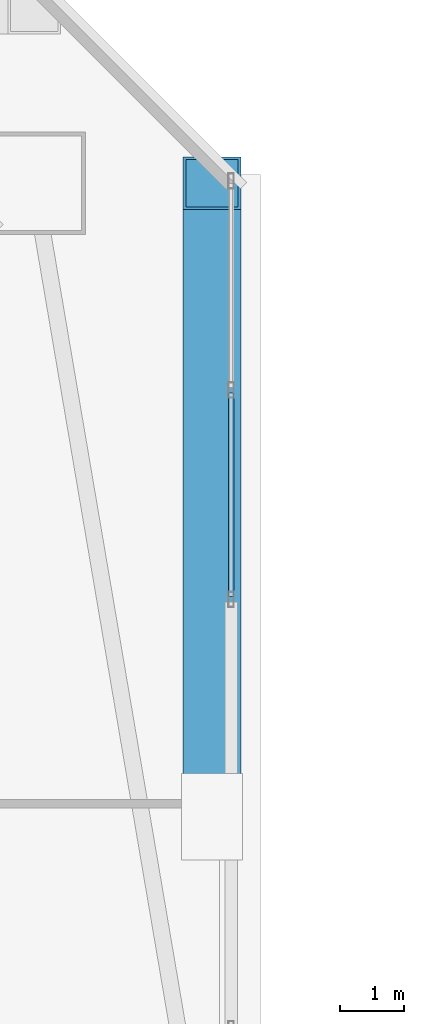
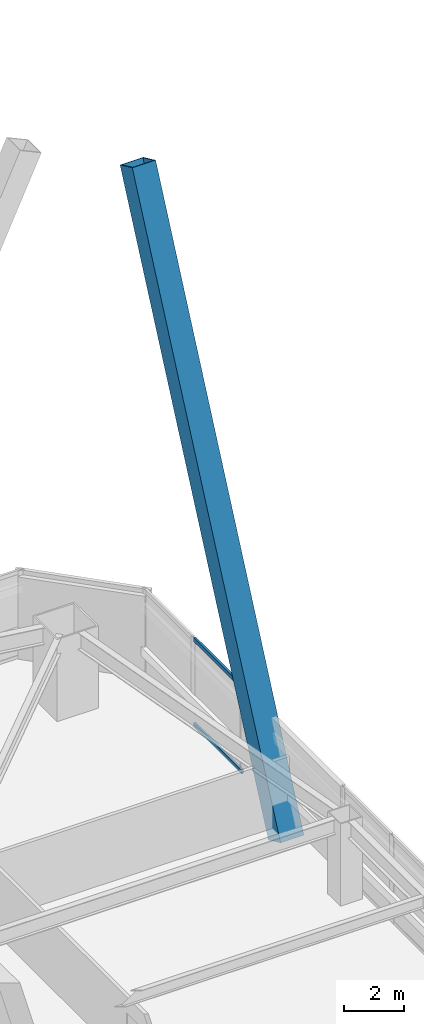
# One storey, part 27 of 75: 3 members, 1 element without a shape of its own.
"""IFC4 building model written with IfcOpenShell, lengths in metres."""

from ifc_helpers import new_model, si_unit, direction, frame, origin, origin_2d, place, context, subcontext, project, spatial, hollow_rectangle, extrude, material, material_profile, profile_set, type_object, element, aggregate, save


model = new_model("IFC4")

# Units and contexts
model_context = context("Model", 3, precision=1e-05, world=origin(), true_north=direction((0.0, 1.0)))
body_context = subcontext(model_context, "Body", "Model", "MODEL_VIEW")
ifc_project = project(units=[si_unit("LENGTHUNIT", "METRE"), si_unit("AREAUNIT", "SQUARE_METRE"), si_unit("VOLUMEUNIT", "CUBIC_METRE"), si_unit("PLANEANGLEUNIT", "RADIAN"), si_unit("MASSUNIT", "GRAM", prefix="KILO")], contexts=[model_context])

# Site, building, storey
site_placement = place(None, origin())
site = spatial("IfcSite", under=ifc_project, at=site_placement, CompositionType="ELEMENT")
building_placement = place(site_placement, origin())
building = spatial("IfcBuilding", under=site, at=building_placement, Name="Tashvorn Skyway Center", CompositionType="ELEMENT")
storey_placement = place(building_placement, frame((0.0, 0.0, 45.89990234375)))
storey = spatial("IfcBuildingStorey", under=building, at=storey_placement, Name="L11", CompositionType="ELEMENT", Elevation=45.89990234375)

# Curtain wall, members
ifc_material_1 = material(Name="Thermally broken bronze-anodized aluminium 6063-T6", Category="aluminium")
curtain_wall_type = type_object("IfcCurtainWallType", Name="CW-CW-Z1", PredefinedType="NOTDEFINED", material=ifc_material_1)
curtain_wall_placement = place(storey_placement, origin())
curtain_wall = element("IfcCurtainWall", 1, at=curtain_wall_placement, inside=storey, type_object=curtain_wall_type, Name="Tower 1 L11 East Unitised Curtain Wall Glazing Group 1", PredefinedType="NOTDEFINED")
ifc_material_profile_1 = material_profile(ifc_material_1, hollow_rectangle(XDim=0.0849609375, YDim=0.1650390625, WallThickness=0.0048828125, at=origin_2d()), Name="ALU-TRAN-85x165")
ifc_profile_set_1 = profile_set([ifc_material_profile_1], Name="Thermally broken bronze-anodized aluminium 6063-T6")
member_type_1 = type_object("IfcMemberType", Name="CWT-CW-Z1", PredefinedType="USERDEFINED", material=ifc_profile_set_1)
member_1_placement = place(storey_placement, frame((64.8798828125, 48.524169921875, 0.04248046875), z_axis=(0.0, -1.0, 0.0), x_axis=(1.0, 0.0, 0.0)))
member_1 = element("IfcMember", 2, at=member_1_placement, type_object=member_type_1, Name="CW-Z1 transom 2.1", ObjectType="TRANSOM", PredefinedType="USERDEFINED", context=body_context, shape_type="SweptSolid", body=[
    extrude(hollow_rectangle(XDim=0.0849609375, YDim=0.1650390625, WallThickness=0.0048828125, at=origin_2d()), origin(), (0.0, 0.0, 1.0), 3.185791015625),
])
member_2_placement = place(storey_placement, frame((64.8798828125, 48.524169921875, 3.507568359375), z_axis=(0.0, -1.0, 0.0), x_axis=(1.0, 0.0, 0.0)))
member_2 = element("IfcMember", 3, at=member_2_placement, type_object=member_type_1, Name="CW-Z1 transom 2.2", ObjectType="TRANSOM", PredefinedType="USERDEFINED", context=body_context, shape_type="SweptSolid", body=[
    extrude(hollow_rectangle(XDim=0.0849609375, YDim=0.1650390625, WallThickness=0.0048828125, at=origin_2d()), origin(), (0.0, 0.0, 1.0), 3.185791015625),
])
aggregate(curtain_wall, [member_1, member_2])

# Member
ifc_material_2 = material(Name="Steel ASTM A572 Grade 50", Category="steel")
ifc_material_profile_2 = material_profile(ifc_material_2, hollow_rectangle(XDim=0.89990234375, YDim=0.89990234375, WallThickness=0.0400390625, at=origin_2d()), Name="BOX900x900x40")
ifc_profile_set_2 = profile_set([ifc_material_profile_2], Name="Steel ASTM A572 Grade 50")
member_type_2 = type_object("IfcMemberType", Name="MEM-MB-900", PredefinedType="BRACE", material=ifc_profile_set_2)
member_3_placement = place(storey_placement, frame((64.580078125, 41.89990234375, -0.449951171875), z_axis=(0.0, 0.418259378631, 0.908327634825), x_axis=(-1.0, 0.0, 0.0)))
element("IfcMember", 4, at=member_3_placement, inside=storey, type_object=member_type_2, Name="Tower 1 Zone 1 E Chevron Mega-Brace R2", PredefinedType="BRACE", context=body_context, shape_type="SweptSolid", body=[
    extrude(hollow_rectangle(XDim=0.89990234375, YDim=0.89990234375, WallThickness=0.0400390625, at=origin_2d()), origin(), (0.0, 0.0, 1.0), 23.669921875),
])

save(model, "model.ifc")
